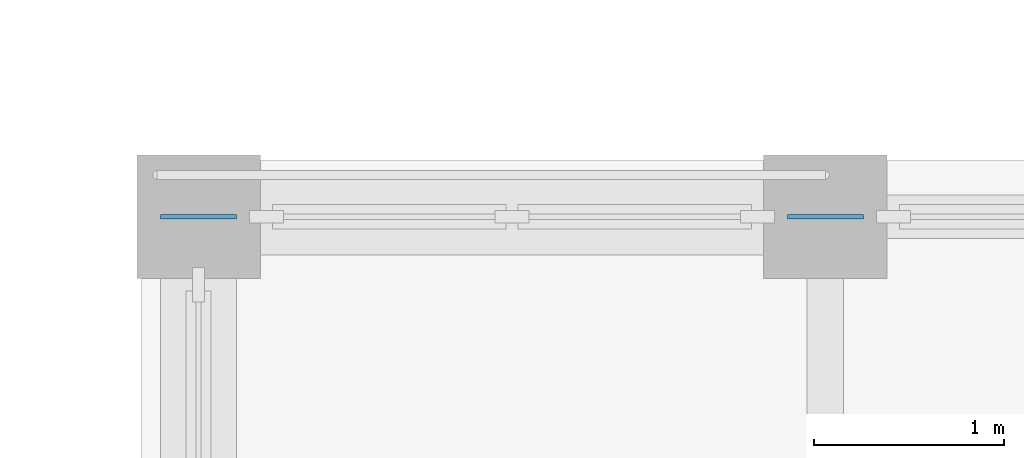
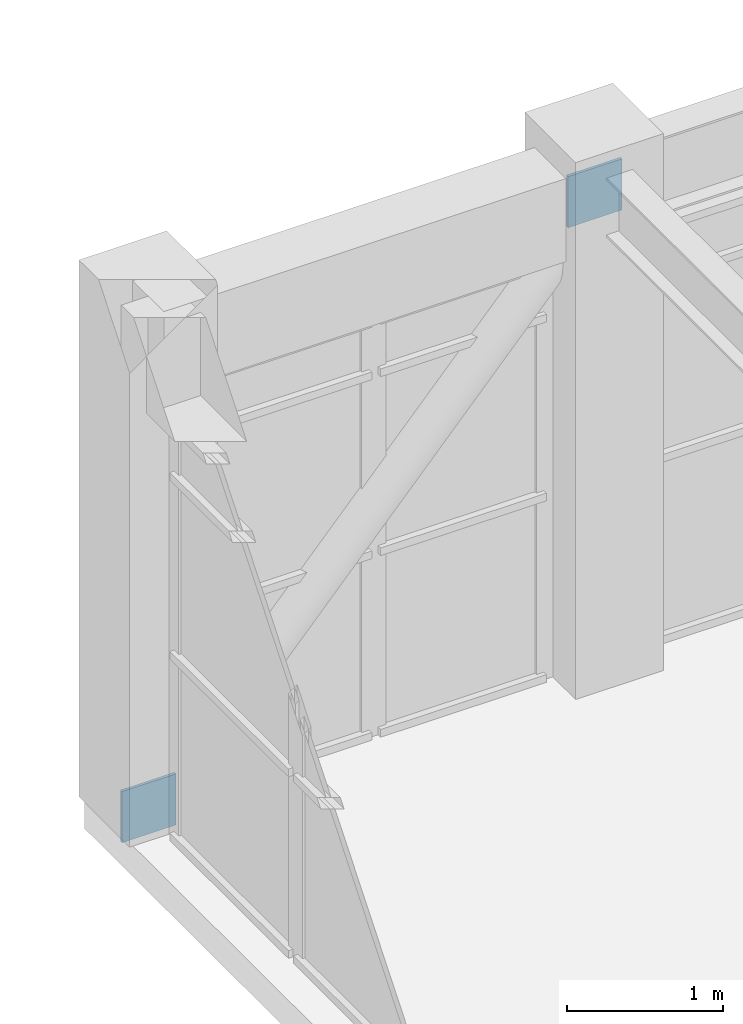
# One storey, part 50 of 66: 2 plates.
"""IFC4 building model written with IfcOpenShell, lengths in metres."""

import ifcopenshell
import ifcopenshell.guid

model = None  # the IFC model being written
_history = None  # IfcOwnerHistory: only IFC2X3 demands one
_inside = {}  # id of a spatial element -> (the spatial element, [elements in it])
_under = {}  # id of a project, library or spatial element -> (it, [spatial elements below it])
_declared = {}  # id of a project -> (the project, [libraries it declares])
_typed = {}  # id of a type object -> (the type object, [elements of that type])
_made_of = {}  # id of a material, layer set ... -> (it, [elements and type objects made of it])


def new_model(schema):
    """Start an empty IFC model of exactly this schema.

    Asked for "IFC4X3", IfcOpenShell would pick the latest addendum, in which some entities
    have other attributes; the version numbers below select the first issue.
    IFC2X3 requires an IfcOwnerHistory on every rooted entity: one is made here for all.
    """
    global model, _history
    if schema == "IFC4X3":
        model = ifcopenshell.file(schema_version=(4, 3, 0, 0))
    else:
        model = ifcopenshell.file(schema=schema)
    _inside.clear()
    _under.clear()
    _declared.clear()
    _typed.clear()
    _made_of.clear()
    _history = None
    if model.schema == "IFC2X3":
        org = make("IfcOrganization", Name="unknown")
        user = make(
            "IfcPersonAndOrganization",
            ThePerson=make("IfcPerson", FamilyName="unknown"),
            TheOrganization=org,
        )
        app = make(
            "IfcApplication",
            ApplicationDeveloper=org,
            Version="unknown",
            ApplicationFullName="unknown",
            ApplicationIdentifier="unknown",
        )
        _history = make(
            "IfcOwnerHistory",
            OwningUser=user,
            OwningApplication=app,
            ChangeAction="ADDED",
            CreationDate=0,
        )
    return model


def make(cls, **values):
    """One entity of the class cls with the attributes given. An attribute that is None is left unset."""
    return model.create_entity(
        cls, **{name: value for name, value in values.items() if value is not None}
    )


def rooted(cls, **values):
    """An entity with a GlobalId (a new one), such as an element, a storey or a relation."""
    return make(cls, GlobalId=ifcopenshell.guid.new(), OwnerHistory=_history, **values)


def si_unit(unit_type, name, prefix=None):
    """IfcSIUnit, for example si_unit("LENGTHUNIT", "METRE", prefix="MILLI")."""
    return make("IfcSIUnit", UnitType=unit_type, Prefix=prefix, Name=name)


def assignment(units):
    """IfcUnitAssignment: the units of a project."""
    return None if units is None else make("IfcUnitAssignment", Units=units)


def point(xyz):
    """IfcCartesianPoint."""
    return None if xyz is None else make("IfcCartesianPoint", Coordinates=xyz)


def direction(xyz):
    """IfcDirection."""
    return None if xyz is None else make("IfcDirection", DirectionRatios=xyz)


def frame(location, z_axis=None, x_axis=None):
    """IfcAxis2Placement3D, a coordinate frame: its origin and axes. An axis left out is left unset."""
    return make(
        "IfcAxis2Placement3D",
        Location=point(location),
        Axis=direction(z_axis),
        RefDirection=direction(x_axis),
    )


def frame_2d(location, x_axis=None):
    """IfcAxis2Placement2D, a coordinate frame in the plane: its origin and x axis."""
    return make(
        "IfcAxis2Placement2D", Location=point(location), RefDirection=direction(x_axis)
    )


def origin():
    """The frame at (0, 0, 0) with its axes left unset."""
    return frame((0.0, 0.0, 0.0))


def origin_2d():
    """The frame at (0, 0) in the plane with its x axis left unset."""
    return frame_2d((0.0, 0.0))


def place(relative_to, where):
    """IfcLocalPlacement: puts the frame where relative to a parent placement (None: the world)."""
    return make(
        "IfcLocalPlacement", PlacementRelTo=relative_to, RelativePlacement=where
    )


def context(
    kind, dimensions, precision=None, world=None, true_north=None, identifier=None
):
    """IfcGeometricRepresentationContext, for example the 3D "Model" context."""
    return make(
        "IfcGeometricRepresentationContext",
        ContextIdentifier=identifier,
        ContextType=kind,
        CoordinateSpaceDimension=dimensions,
        Precision=precision,
        WorldCoordinateSystem=world,
        TrueNorth=true_north,
    )


def subcontext(parent, identifier, kind, view, scale=None):
    """IfcGeometricRepresentationSubContext, for example "Body" below "Model"."""
    return make(
        "IfcGeometricRepresentationSubContext",
        ContextIdentifier=identifier,
        ContextType=kind,
        ParentContext=parent,
        TargetScale=scale,
        TargetView=view,
    )


def project(units=None, contexts=None):
    """IfcProject with its units and contexts."""
    return rooted(
        "IfcProject",
        Name="project",
        RepresentationContexts=contexts,
        UnitsInContext=assignment(units),
    )


def spatial(cls, under=None, at=None, **own):
    """A site, building, storey or space (cls), placed at a placement, below another one or the project."""
    s = rooted(cls, ObjectPlacement=at, **own)
    if under is not None:
        _under.setdefault(under.id(), (under, []))[1].append(s)
    return s


def profile(cls, at=None, kind="AREA", **sizes):
    """A parametric profile (cls). Its sizes go by their IFC names, for example OverallWidth=200.0."""
    return make(cls, ProfileType=kind, Position=at, **sizes)


def rectangle(**sizes):
    """IfcRectangleProfileDef."""
    return profile("IfcRectangleProfileDef", **sizes)


def extrude(swept, where, along, depth):
    """IfcExtrudedAreaSolid: the profile swept, set in the frame where, extruded along a direction by depth."""
    return make(
        "IfcExtrudedAreaSolid",
        SweptArea=swept,
        Position=where,
        ExtrudedDirection=direction(along),
        Depth=depth,
    )


def shape(context_of_items, identifier, shape_type, items):
    """IfcShapeRepresentation: the items that make up one representation, for example the "Body"."""
    return make(
        "IfcShapeRepresentation",
        ContextOfItems=context_of_items,
        RepresentationIdentifier=identifier,
        RepresentationType=shape_type,
        Items=items,
    )


def material(Name=None, Category=None):
    """IfcMaterial."""
    return make("IfcMaterial", Name=Name, Category=Category)


def layer(
    of_material, thickness, ventilated=None, Name=None, Category=None, Priority=None
):
    """IfcMaterialLayer: one layer of a wall or slab, of a material (None: an air gap)."""
    return make(
        "IfcMaterialLayer",
        Material=of_material,
        LayerThickness=thickness,
        IsVentilated=ventilated,
        Name=Name,
        Category=Category,
        Priority=Priority,
    )


def layer_set(layers, Name=None):
    """IfcMaterialLayerSet."""
    return make("IfcMaterialLayerSet", MaterialLayers=layers, LayerSetName=Name)


def made_of(thing, what):
    """Note that an element or type object is made of a material, layer set ...; save() writes the relation."""
    if what is not None:
        _made_of.setdefault(what.id(), (what, []))[1].append(thing)
    return thing


def type_object(cls, material=None, **own):
    """A type object (cls), such as IfcWallType, which elements share."""
    return made_of(rooted(cls, **own), material)


def element(
    cls,
    number,
    at=None,
    inside=None,
    cuts=None,
    type_object=None,
    material=None,
    context=None,
    identifier="Body",
    shape_type=None,
    held_by="IfcProductDefinitionShape",
    body=None,
    shapes=None,
    **own,
):
    """One element of the class cls, such as IfcWall. Its Tag is "e" and its number.

    at: its placement. inside: the storey or other place that contains it. cuts: it is an
    opening in that element (IfcRelVoidsElement). A single representation is given by context,
    identifier, shape_type and body (its items); several are given by shapes. held_by: the class
    of the entity that holds the representations. save() writes the other relations.
    """
    e = rooted(cls, Tag="e%d" % number, ObjectPlacement=at, **own)
    if body is not None:
        shapes = [shape(context, identifier, shape_type, body)]
    if shapes is not None:
        e.Representation = make(held_by, Representations=shapes)
    if inside is not None:
        _inside.setdefault(inside.id(), (inside, []))[1].append(e)
    if cuts is not None:
        rooted(
            "IfcRelVoidsElement", RelatingBuildingElement=cuts, RelatedOpeningElement=e
        )
    if type_object is not None:
        _typed.setdefault(type_object.id(), (type_object, []))[1].append(e)
    return made_of(e, material)


def aggregate(whole, parts):
    """IfcRelAggregates: a whole, such as a stair, and the parts it consists of."""
    return rooted("IfcRelAggregates", RelatingObject=whole, RelatedObjects=parts)


def save(model, path):
    """Write the relations noted so far, then the file.

    IfcRelAggregates (storeys below a building ...), IfcRelContainedInSpatialStructure (elements
    in a storey), IfcRelDefinesByType, IfcRelAssociatesMaterial and IfcRelDeclares: one each for
    every whole, place, type object, material and project.
    """
    for whole, parts in _under.values():
        aggregate(whole, parts)
    for where, things in _inside.values():
        rooted(
            "IfcRelContainedInSpatialStructure",
            RelatedElements=things,
            RelatingStructure=where,
        )
    for kind, things in _typed.values():
        rooted("IfcRelDefinesByType", RelatedObjects=things, RelatingType=kind)
    for what, things in _made_of.values():
        rooted("IfcRelAssociatesMaterial", RelatedObjects=things, RelatingMaterial=what)
    for by, libraries in _declared.values():
        rooted("IfcRelDeclares", RelatingContext=by, RelatedDefinitions=libraries)
    model.write(path)


model = new_model("IFC4")

# Units and contexts
model_context = context("Model", 3, precision=1e-05, world=origin(), true_north=direction((0.0, 1.0)))
body_context = subcontext(model_context, "Body", "Model", "MODEL_VIEW")
ifc_project = project(units=[si_unit("LENGTHUNIT", "METRE"), si_unit("AREAUNIT", "SQUARE_METRE"), si_unit("VOLUMEUNIT", "CUBIC_METRE"), si_unit("PLANEANGLEUNIT", "RADIAN"), si_unit("MASSUNIT", "GRAM", prefix="KILO")], contexts=[model_context])

# Site, building, storey
site_placement = place(None, origin())
site = spatial("IfcSite", under=ifc_project, at=site_placement, CompositionType="ELEMENT")
building_placement = place(site_placement, origin())
building = spatial("IfcBuilding", under=site, at=building_placement, Name="Candilejo Ridge Gondola Terminal", CompositionType="ELEMENT")
storey_placement = place(building_placement, frame((0.0, 0.0, 14.39990234375)))
storey = spatial("IfcBuildingStorey", under=building, at=storey_placement, Name="L03", CompositionType="ELEMENT", Elevation=14.39990234375)

# Plates
ifc_material = material(Name="Steel ASTM A572 Grade 50", Category="steel")
ifc_layer = layer(ifc_material, 0.02197265625)
ifc_layer_set = layer_set([ifc_layer], Name="STR-NODE-PLATE-400X400X22")
plate_type = type_object("IfcPlateType", Name="STR-NODE-PLATE-400X400X22", PredefinedType="USERDEFINED", material=ifc_layer_set)
for number, where, z_axis, x_axis, name in (
    (1, (133.89990234375, 47.699951171875, -0.199951171875), (0.0, 0.0, 1.0), (1.0, 0.0, 0.0), "Portal strut gusset plate 168"),
    (2, (137.199951171875, 47.699951171875, 3.4560546875), (0.0, 0.0, 1.0), (1.0, 0.0, 0.0), "Portal strut gusset plate 169"),
):
    element("IfcPlate", number, at=place(storey_placement, frame(where, z_axis=z_axis, x_axis=x_axis)), inside=storey, type_object=plate_type, Name=name, ObjectType="NODE PLATE", PredefinedType="USERDEFINED", context=body_context, shape_type="SweptSolid", body=[
        extrude(rectangle(XDim=0.39990234375, YDim=0.02197265625, at=origin_2d()), origin(), (0.0, 0.0, 1.0), 0.39990234375),
    ])

save(model, "model.ifc")
